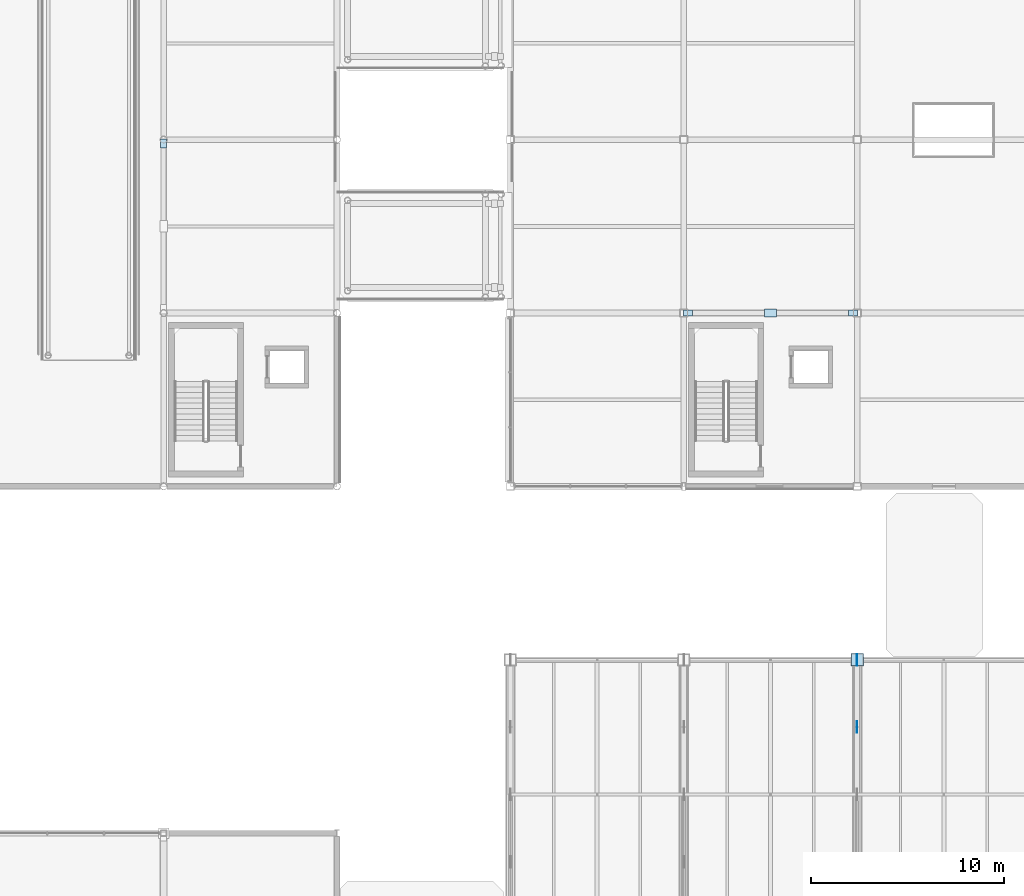
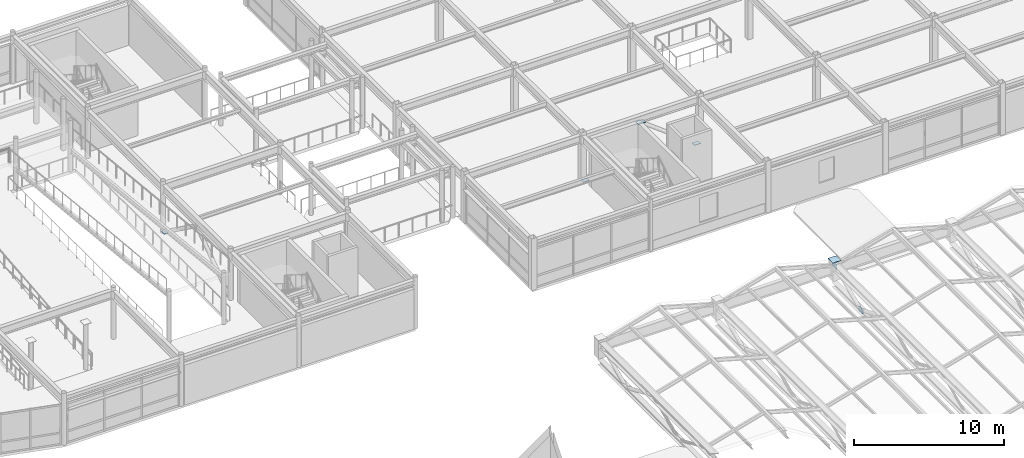
# One storey, part 74 of 108: 7 plates.
"""IFC4 building model written with IfcOpenShell, lengths in metres."""

from ifc_helpers import new_model, si_unit, direction, frame, origin, origin_2d, place, context, subcontext, project, spatial, rectangle, extrude, material, layer, layer_set, type_object, element, save


model = new_model("IFC4")

# Units and contexts
model_context = context("Model", 3, precision=1e-05, world=origin(), true_north=direction((0.0, 1.0)))
body_context = subcontext(model_context, "Body", "Model", "MODEL_VIEW")
ifc_project = project(units=[si_unit("LENGTHUNIT", "METRE"), si_unit("AREAUNIT", "SQUARE_METRE"), si_unit("VOLUMEUNIT", "CUBIC_METRE"), si_unit("PLANEANGLEUNIT", "RADIAN"), si_unit("MASSUNIT", "GRAM", prefix="KILO")], contexts=[model_context])

# Site, building, storey
site_placement = place(None, origin())
site = spatial("IfcSite", under=ifc_project, at=site_placement, CompositionType="ELEMENT")
building_placement = place(site_placement, origin())
building = spatial("IfcBuilding", under=site, at=building_placement, Name="Suzunagisa Mobility Hub", CompositionType="ELEMENT")
storey_placement = place(building_placement, frame((0.0, 0.0, 9.300048828125)))
storey = spatial("IfcBuildingStorey", under=building, at=storey_placement, Name="L02", CompositionType="ELEMENT", Elevation=9.300048828125)

# Plates
ifc_material = material(Name="Steel SN490B", Category="steel")
ifc_layer_1 = layer(ifc_material, 0.028076171875)
ifc_layer_set_1 = layer_set([ifc_layer_1], Name="Steel SN490B")
plate_type_1 = type_object("IfcPlateType", Name="Structural Steel Plate SP-04 480x320x28", PredefinedType="USERDEFINED", material=ifc_layer_set_1)
plate_1_placement = place(storey_placement, frame((27.0, 97.80224609375, 0.10595703125), z_axis=(0.0, 0.0, 1.0), x_axis=(1.0, 0.0, 0.0)))
element("IfcPlate", 1, at=plate_1_placement, inside=storey, type_object=plate_type_1, Name="L02 Brace Foot Gusset Plate FGP-111.2", ObjectType="GUSSET PLATE", PredefinedType="USERDEFINED", context=body_context, shape_type="SweptSolid", body=[
    extrude(rectangle(XDim=0.320068359375, YDim=0.47998046875, at=origin_2d()), origin(), (0.0, 0.0, 1.0), 0.028076171875),
])
for number, where, z_axis, x_axis, name in (
    (2, (54.219970703125, 89.0, 0.10595703125), (0.0, 0.0, 1.0), (1.0, 0.0, 0.0), "L02 Brace Foot Gusset Plate FGP-115.1"),
    (3, (62.780029296875, 89.0, 0.10595703125), (0.0, 0.0, 1.0), (1.0, 0.0, 0.0), "L02 Brace Foot Gusset Plate FGP-115.2"),
):
    element("IfcPlate", number, at=place(storey_placement, frame(where, z_axis=z_axis, x_axis=x_axis)), inside=storey, type_object=plate_type_1, Name=name, ObjectType="GUSSET PLATE", PredefinedType="USERDEFINED", context=body_context, shape_type="SweptSolid", body=[
        extrude(rectangle(XDim=0.47998046875, YDim=0.320068359375, at=origin_2d()), origin(), (0.0, 0.0, 1.0), 0.028076171875),
    ])
ifc_layer_2 = layer(ifc_material, 0.031982421875)
ifc_layer_set_2 = layer_set([ifc_layer_2], Name="Steel SN490B")
plate_type_2 = type_object("IfcPlateType", Name="Structural Steel Plate SP-05 650x650x32", PredefinedType="USERDEFINED", material=ifc_layer_set_2)
plate_2_placement = place(storey_placement, frame((63.0, 71.0, 1.5), z_axis=(0.0, 0.0, 1.0), x_axis=(1.0, 0.0, 0.0)))
element("IfcPlate", 4, at=plate_2_placement, inside=storey, type_object=plate_type_2, Name="L02 Column Cap Plate CP-137", ObjectType="BASE PLATE", PredefinedType="USERDEFINED", context=body_context, shape_type="SweptSolid", body=[
    extrude(rectangle(XDim=0.64990234375, YDim=0.64990234375, at=origin_2d()), origin(), (0.0, 0.0, 1.0), 0.031982421875),
])
ifc_layer_3 = layer(ifc_material, 0.028076171875)
ifc_layer_set_3 = layer_set([ifc_layer_3], Name="Steel SN490B")
plate_type_3 = type_object("IfcPlateType", Name="Structural Steel Plate SP-06 600x400x28", PredefinedType="USERDEFINED", material=ifc_layer_set_3)
for number, where, z_axis, x_axis, name in (
    (5, (63.0, 67.5, -0.646240234375), (0.0, 0.0, 1.0), (1.0, 0.0, 0.0), "Folded-Plate Truss Node Gusset GP-27"),
    (6, (63.0, 71.0, 0.853759765625), (0.0, 0.0, 1.0), (1.0, 0.0, 0.0), "Folded-Plate Truss Top-Chord Node Gusset TGP-33"),
):
    element("IfcPlate", number, at=place(storey_placement, frame(where, z_axis=z_axis, x_axis=x_axis)), inside=storey, type_object=plate_type_3, Name=name, ObjectType="GUSSET PLATE", PredefinedType="USERDEFINED", context=body_context, shape_type="SweptSolid", body=[
        extrude(rectangle(XDim=0.028076171875, YDim=0.60009765625, at=origin_2d()), origin(), (0.0, 0.0, 1.0), 0.39990234375),
    ])
plate_3_placement = place(storey_placement, frame((58.5, 89.0, 3.333984375), z_axis=(0.0, 0.0, 1.0), x_axis=(1.0, 0.0, 0.0)))
element("IfcPlate", 7, at=plate_3_placement, inside=storey, type_object=plate_type_3, Name="L02 Brace Apex Gusset GP-115", ObjectType="GUSSET PLATE", PredefinedType="USERDEFINED", context=body_context, shape_type="SweptSolid", body=[
    extrude(rectangle(XDim=0.60009765625, YDim=0.39990234375, at=origin_2d()), origin(), (0.0, 0.0, 1.0), 0.028076171875),
])

save(model, "model.ifc")
